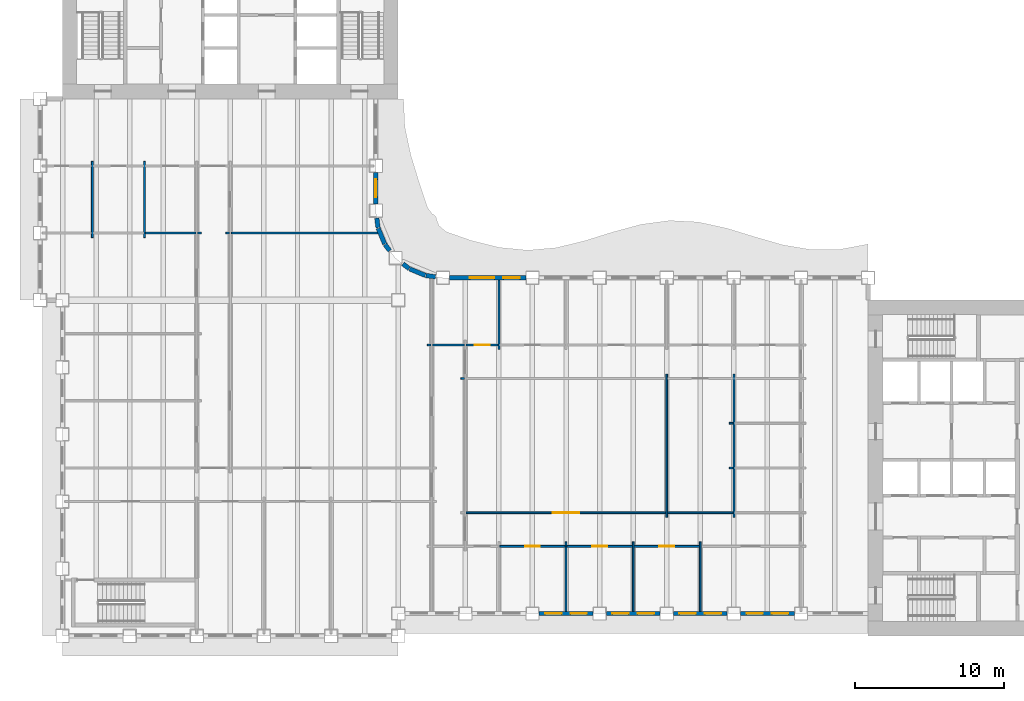
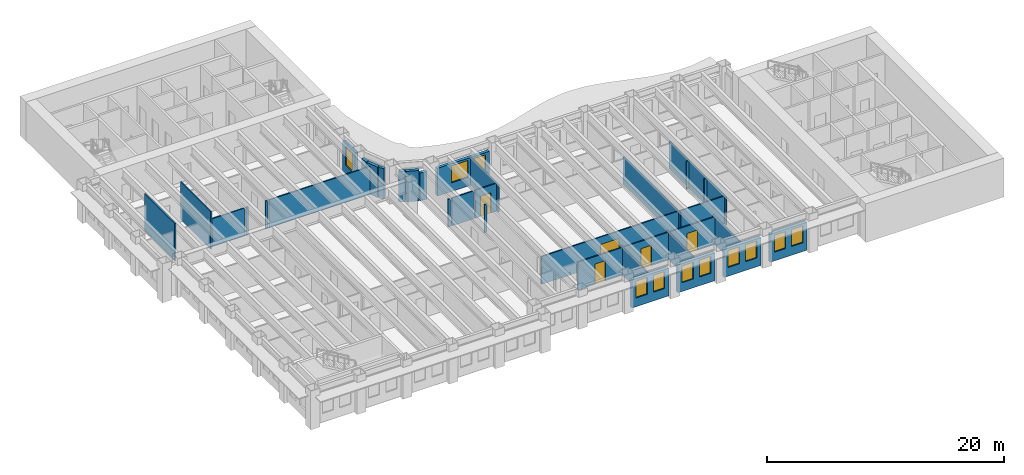
# One storey, part 5 of 16: 35 walls, 11 windows, 5 doors, 16 openings.
"""IFC4 building model written with IfcOpenShell, lengths in metres."""

import ifcopenshell
import ifcopenshell.guid

model = None  # the IFC model being written
_history = None  # IfcOwnerHistory: only IFC2X3 demands one
_inside = {}  # id of a spatial element -> (the spatial element, [elements in it])
_under = {}  # id of a project, library or spatial element -> (it, [spatial elements below it])
_declared = {}  # id of a project -> (the project, [libraries it declares])
_typed = {}  # id of a type object -> (the type object, [elements of that type])
_made_of = {}  # id of a material, layer set ... -> (it, [elements and type objects made of it])


def new_model(schema):
    """Start an empty IFC model of exactly this schema.

    Asked for "IFC4X3", IfcOpenShell would pick the latest addendum, in which some entities
    have other attributes; the version numbers below select the first issue.
    IFC2X3 requires an IfcOwnerHistory on every rooted entity: one is made here for all.
    """
    global model, _history
    if schema == "IFC4X3":
        model = ifcopenshell.file(schema_version=(4, 3, 0, 0))
    else:
        model = ifcopenshell.file(schema=schema)
    _inside.clear()
    _under.clear()
    _declared.clear()
    _typed.clear()
    _made_of.clear()
    _history = None
    if model.schema == "IFC2X3":
        org = make("IfcOrganization", Name="unknown")
        user = make(
            "IfcPersonAndOrganization",
            ThePerson=make("IfcPerson", FamilyName="unknown"),
            TheOrganization=org,
        )
        app = make(
            "IfcApplication",
            ApplicationDeveloper=org,
            Version="unknown",
            ApplicationFullName="unknown",
            ApplicationIdentifier="unknown",
        )
        _history = make(
            "IfcOwnerHistory",
            OwningUser=user,
            OwningApplication=app,
            ChangeAction="ADDED",
            CreationDate=0,
        )
    return model


def make(cls, **values):
    """One entity of the class cls with the attributes given. An attribute that is None is left unset."""
    return model.create_entity(
        cls, **{name: value for name, value in values.items() if value is not None}
    )


def rooted(cls, **values):
    """An entity with a GlobalId (a new one), such as an element, a storey or a relation."""
    return make(cls, GlobalId=ifcopenshell.guid.new(), OwnerHistory=_history, **values)


def si_unit(unit_type, name, prefix=None):
    """IfcSIUnit, for example si_unit("LENGTHUNIT", "METRE", prefix="MILLI")."""
    return make("IfcSIUnit", UnitType=unit_type, Prefix=prefix, Name=name)


def assignment(units):
    """IfcUnitAssignment: the units of a project."""
    return None if units is None else make("IfcUnitAssignment", Units=units)


def point(xyz):
    """IfcCartesianPoint."""
    return None if xyz is None else make("IfcCartesianPoint", Coordinates=xyz)


def direction(xyz):
    """IfcDirection."""
    return None if xyz is None else make("IfcDirection", DirectionRatios=xyz)


def frame(location, z_axis=None, x_axis=None):
    """IfcAxis2Placement3D, a coordinate frame: its origin and axes. An axis left out is left unset."""
    return make(
        "IfcAxis2Placement3D",
        Location=point(location),
        Axis=direction(z_axis),
        RefDirection=direction(x_axis),
    )


def frame_2d(location, x_axis=None):
    """IfcAxis2Placement2D, a coordinate frame in the plane: its origin and x axis."""
    return make(
        "IfcAxis2Placement2D", Location=point(location), RefDirection=direction(x_axis)
    )


def origin():
    """The frame at (0, 0, 0) with its axes left unset."""
    return frame((0.0, 0.0, 0.0))


def place(relative_to, where):
    """IfcLocalPlacement: puts the frame where relative to a parent placement (None: the world)."""
    return make(
        "IfcLocalPlacement", PlacementRelTo=relative_to, RelativePlacement=where
    )


def context(
    kind, dimensions, precision=None, world=None, true_north=None, identifier=None
):
    """IfcGeometricRepresentationContext, for example the 3D "Model" context."""
    return make(
        "IfcGeometricRepresentationContext",
        ContextIdentifier=identifier,
        ContextType=kind,
        CoordinateSpaceDimension=dimensions,
        Precision=precision,
        WorldCoordinateSystem=world,
        TrueNorth=true_north,
    )


def subcontext(parent, identifier, kind, view, scale=None):
    """IfcGeometricRepresentationSubContext, for example "Body" below "Model"."""
    return make(
        "IfcGeometricRepresentationSubContext",
        ContextIdentifier=identifier,
        ContextType=kind,
        ParentContext=parent,
        TargetScale=scale,
        TargetView=view,
    )


def project(units=None, contexts=None):
    """IfcProject with its units and contexts."""
    return rooted(
        "IfcProject",
        Name="project",
        RepresentationContexts=contexts,
        UnitsInContext=assignment(units),
    )


def spatial(cls, under=None, at=None, **own):
    """A site, building, storey or space (cls), placed at a placement, below another one or the project."""
    s = rooted(cls, ObjectPlacement=at, **own)
    if under is not None:
        _under.setdefault(under.id(), (under, []))[1].append(s)
    return s


def profile(cls, at=None, kind="AREA", **sizes):
    """A parametric profile (cls). Its sizes go by their IFC names, for example OverallWidth=200.0."""
    return make(cls, ProfileType=kind, Position=at, **sizes)


def rectangle(**sizes):
    """IfcRectangleProfileDef."""
    return profile("IfcRectangleProfileDef", **sizes)


def extrude(swept, where, along, depth):
    """IfcExtrudedAreaSolid: the profile swept, set in the frame where, extruded along a direction by depth."""
    return make(
        "IfcExtrudedAreaSolid",
        SweptArea=swept,
        Position=where,
        ExtrudedDirection=direction(along),
        Depth=depth,
    )


def shape(context_of_items, identifier, shape_type, items):
    """IfcShapeRepresentation: the items that make up one representation, for example the "Body"."""
    return make(
        "IfcShapeRepresentation",
        ContextOfItems=context_of_items,
        RepresentationIdentifier=identifier,
        RepresentationType=shape_type,
        Items=items,
    )


def material(Name=None, Category=None):
    """IfcMaterial."""
    return make("IfcMaterial", Name=Name, Category=Category)


def layer(
    of_material, thickness, ventilated=None, Name=None, Category=None, Priority=None
):
    """IfcMaterialLayer: one layer of a wall or slab, of a material (None: an air gap)."""
    return make(
        "IfcMaterialLayer",
        Material=of_material,
        LayerThickness=thickness,
        IsVentilated=ventilated,
        Name=Name,
        Category=Category,
        Priority=Priority,
    )


def layer_set(layers, Name=None):
    """IfcMaterialLayerSet."""
    return make("IfcMaterialLayerSet", MaterialLayers=layers, LayerSetName=Name)


def made_of(thing, what):
    """Note that an element or type object is made of a material, layer set ...; save() writes the relation."""
    if what is not None:
        _made_of.setdefault(what.id(), (what, []))[1].append(thing)
    return thing


def type_object(cls, material=None, **own):
    """A type object (cls), such as IfcWallType, which elements share."""
    return made_of(rooted(cls, **own), material)


def element(
    cls,
    number,
    at=None,
    inside=None,
    cuts=None,
    type_object=None,
    material=None,
    context=None,
    identifier="Body",
    shape_type=None,
    held_by="IfcProductDefinitionShape",
    body=None,
    shapes=None,
    **own,
):
    """One element of the class cls, such as IfcWall. Its Tag is "e" and its number.

    at: its placement. inside: the storey or other place that contains it. cuts: it is an
    opening in that element (IfcRelVoidsElement). A single representation is given by context,
    identifier, shape_type and body (its items); several are given by shapes. held_by: the class
    of the entity that holds the representations. save() writes the other relations.
    """
    e = rooted(cls, Tag="e%d" % number, ObjectPlacement=at, **own)
    if body is not None:
        shapes = [shape(context, identifier, shape_type, body)]
    if shapes is not None:
        e.Representation = make(held_by, Representations=shapes)
    if inside is not None:
        _inside.setdefault(inside.id(), (inside, []))[1].append(e)
    if cuts is not None:
        rooted(
            "IfcRelVoidsElement", RelatingBuildingElement=cuts, RelatedOpeningElement=e
        )
    if type_object is not None:
        _typed.setdefault(type_object.id(), (type_object, []))[1].append(e)
    return made_of(e, material)


def fill(opening, filler):
    """IfcRelFillsElement: the door or window that sits in an opening."""
    return rooted(
        "IfcRelFillsElement",
        RelatingOpeningElement=opening,
        RelatedBuildingElement=filler,
    )


def aggregate(whole, parts):
    """IfcRelAggregates: a whole, such as a stair, and the parts it consists of."""
    return rooted("IfcRelAggregates", RelatingObject=whole, RelatedObjects=parts)


def save(model, path):
    """Write the relations noted so far, then the file.

    IfcRelAggregates (storeys below a building ...), IfcRelContainedInSpatialStructure (elements
    in a storey), IfcRelDefinesByType, IfcRelAssociatesMaterial and IfcRelDeclares: one each for
    every whole, place, type object, material and project.
    """
    for whole, parts in _under.values():
        aggregate(whole, parts)
    for where, things in _inside.values():
        rooted(
            "IfcRelContainedInSpatialStructure",
            RelatedElements=things,
            RelatingStructure=where,
        )
    for kind, things in _typed.values():
        rooted("IfcRelDefinesByType", RelatedObjects=things, RelatingType=kind)
    for what, things in _made_of.values():
        rooted("IfcRelAssociatesMaterial", RelatedObjects=things, RelatingMaterial=what)
    for by, libraries in _declared.values():
        rooted("IfcRelDeclares", RelatingContext=by, RelatedDefinitions=libraries)
    model.write(path)


model = new_model("IFC4")

# Units and contexts
model_context = context("Model", 3, precision=1e-05, world=origin(), true_north=direction((0.0, 1.0)))
body_context = subcontext(model_context, "Body", "Model", "MODEL_VIEW")
ifc_project = project(units=[si_unit("LENGTHUNIT", "METRE"), si_unit("AREAUNIT", "SQUARE_METRE"), si_unit("VOLUMEUNIT", "CUBIC_METRE"), si_unit("PLANEANGLEUNIT", "RADIAN"), si_unit("MASSUNIT", "GRAM", prefix="KILO")], contexts=[model_context])

# Site, building, storey
site_placement = place(None, origin())
site = spatial("IfcSite", under=ifc_project, at=site_placement, CompositionType="ELEMENT")
building_placement = place(site_placement, origin())
building = spatial("IfcBuilding", under=site, at=building_placement, Name="Sennacour Bend Tower", CompositionType="ELEMENT")
storey_placement = place(building_placement, frame((0.0, 0.0, 167.0)))
storey = spatial("IfcBuildingStorey", under=building, at=storey_placement, Name="L38", CompositionType="ELEMENT", Elevation=167.0)

# Walls
ifc_material_1 = material(Name="Plasterboard partition on steel studs", Category="steel")
ifc_layer_1 = layer(ifc_material_1, 0.1201171875, Name="Plasterboard partition on steel studs", Category="steel")
ifc_layer_set_1 = layer_set([ifc_layer_1], Name="Plasterboard partition on steel studs")
wall_type_1 = type_object("IfcWallType", Name="Partition 120", PredefinedType="PARTITIONING", material=ifc_layer_set_1)
for number, where, z_axis, x_axis, name in (
    (1, (2.0, 26.699951171875, 0.0), (0.0, 0.0, 1.0), (0.0, 1.0, 0.0), "P-L38-W004a"),
    (2, (5.5, 26.699951171875, 0.0), (0.0, 0.0, 1.0), (0.0, 1.0, 0.0), "P-L38-W007a"),
):
    element("IfcWall", number, at=place(storey_placement, frame(where, z_axis=z_axis, x_axis=x_axis)), inside=storey, type_object=wall_type_1, Name=name, PredefinedType="PARTITIONING", context=body_context, shape_type="SweptSolid", body=[
        extrude(rectangle(XDim=5.10009765625, YDim=0.1201171875, at=frame_2d((2.550048828125, 0.0))), origin(), (0.0, 0.0, 1.0), 3.85009765625),
    ])
for number, where, z_axis, x_axis, name in (
    (3, (29.25, 19.199951171875, 0.0), (0.0, 0.0, 1.0), (0.0, 1.0, 0.0), "P-L38-W027a"),
    (4, (33.75, 1.64990234375, 0.0), (0.0, 0.0, 1.0), (0.0, 1.0, 0.0), "P-L38-W028a"),
    (5, (38.25, 1.64990234375, 0.0), (0.0, 0.0, 1.0), (0.0, 1.0, 0.0), "P-L38-W030a"),
):
    element("IfcWall", number, at=place(storey_placement, frame(where, z_axis=z_axis, x_axis=x_axis)), inside=storey, type_object=wall_type_1, Name=name, PredefinedType="PARTITIONING", context=body_context, shape_type="SweptSolid", body=[
        extrude(rectangle(XDim=4.650146484375, YDim=0.1201171875, at=frame_2d((2.3251953125, 0.0))), origin(), (0.0, 0.0, 1.0), 2.8701171875),
    ])
wall_1_placement = place(storey_placement, frame((40.5, 7.949951171875, 0.0), z_axis=(0.0, 0.0, 1.0), x_axis=(0.0, 1.0, 0.0)))
element("IfcWall", 6, at=wall_1_placement, inside=storey, type_object=wall_type_1, Name="P-L38-W031a", PredefinedType="PARTITIONING", context=body_context, shape_type="SweptSolid", body=[
    extrude(rectangle(XDim=9.60009765625, YDim=0.1201171875, at=frame_2d((4.800048828125, 0.0))), origin(), (0.0, 0.0, 1.0), 2.8701171875),
])
wall_2_placement = place(storey_placement, frame((42.75, 1.64990234375, 0.0), z_axis=(0.0, 0.0, 1.0), x_axis=(0.0, 1.0, 0.0)))
element("IfcWall", 7, at=wall_2_placement, inside=storey, type_object=wall_type_1, Name="P-L38-W033a", PredefinedType="PARTITIONING", context=body_context, shape_type="SweptSolid", body=[
    extrude(rectangle(XDim=4.650146484375, YDim=0.1201171875, at=frame_2d((2.3251953125, 0.0))), origin(), (0.0, 0.0, 1.0), 2.8701171875),
])
wall_3_placement = place(storey_placement, frame((45.0, 7.949951171875, 0.0), z_axis=(0.0, 0.0, 1.0), x_axis=(0.0, 1.0, 0.0)))
element("IfcWall", 8, at=wall_3_placement, inside=storey, type_object=wall_type_1, Name="P-L38-W034a", PredefinedType="PARTITIONING", context=body_context, shape_type="SweptSolid", body=[
    extrude(rectangle(XDim=9.60009765625, YDim=0.1201171875, at=frame_2d((4.800048828125, 0.0))), origin(), (0.0, 0.0, 1.0), 2.8701171875),
])

# Wall, opening, door
wall_4_placement = place(storey_placement, frame((29.31005859375, 6.0, 0.0), z_axis=(0.0, 0.0, 1.0), x_axis=(1.0, 0.0, 0.0)))
wall_4 = element("IfcWall", 9, at=wall_4_placement, inside=storey, type_object=wall_type_1, Name="P-L38-W058ad", PredefinedType="PARTITIONING", context=body_context, shape_type="SweptSolid", body=[
    extrude(rectangle(XDim=4.3798828125, YDim=0.1201171875, at=frame_2d((2.18994140625, 0.0))), origin(), (0.0, 0.0, 1.0), 2.8701171875),
])
opening_1_placement = place(wall_4_placement, frame((1.68994140625, 0.0, 0.0)))
opening_1 = element("IfcOpeningElement", 10, at=opening_1_placement, cuts=wall_4, Name="Opening OD2", PredefinedType="OPENING", context=body_context, shape_type="SweptSolid", body=[
    extrude(rectangle(XDim=1.0, YDim=2.10009765625, at=frame_2d((0.5, 1.050048828125))), frame((0.0, 0.070068359375, 0.0), z_axis=(0.0, -1.0, 0.0), x_axis=(1.0, 0.0, 0.0)), (0.0, 0.0, 1.0), 0.14013671875),
])
ifc_material_2 = material(Name="Timber", Category="wood")
door_type_1 = type_object("IfcDoorType", Name="DR-OFFICE-1000", OperationType="NOTDEFINED", PredefinedType="DOOR", material=ifc_material_2)
door_1_placement = place(opening_1_placement, origin())
door_1 = element("IfcDoor", 11, at=door_1_placement, inside=storey, type_object=door_type_1, Name="Door", OperationType="SINGLE_SWING_LEFT", OverallHeight=2.10009765625, OverallWidth=1.0, PredefinedType="DOOR", context=body_context, shape_type="SweptSolid", body=[
    extrude(rectangle(XDim=1.0, YDim=2.10009765625, at=frame_2d((0.5, 1.050048828125))), frame((0.0, 0.02490234375, 0.0), z_axis=(0.0, -1.0, 0.0), x_axis=(1.0, 0.0, 0.0)), (0.0, 0.0, 1.0), 0.050048828125),
])
fill(opening_1, door_1)

wall_5_placement = place(storey_placement, frame((33.81005859375, 6.0, 0.0), z_axis=(0.0, 0.0, 1.0), x_axis=(1.0, 0.0, 0.0)))
wall_5 = element("IfcWall", 12, at=wall_5_placement, inside=storey, type_object=wall_type_1, Name="P-L38-W058ae", PredefinedType="PARTITIONING", context=body_context, shape_type="SweptSolid", body=[
    extrude(rectangle(XDim=4.3798828125, YDim=0.1201171875, at=frame_2d((2.18994140625, 0.0))), origin(), (0.0, 0.0, 1.0), 2.8701171875),
])
opening_2_placement = place(wall_5_placement, frame((1.68994140625, 0.0, 0.0)))
opening_2 = element("IfcOpeningElement", 13, at=opening_2_placement, cuts=wall_5, Name="Opening OD2", PredefinedType="OPENING", context=body_context, shape_type="SweptSolid", body=[
    extrude(rectangle(XDim=1.0, YDim=2.10009765625, at=frame_2d((0.5, 1.050048828125))), frame((0.0, 0.070068359375, 0.0), z_axis=(0.0, -1.0, 0.0), x_axis=(1.0, 0.0, 0.0)), (0.0, 0.0, 1.0), 0.14013671875),
])
door_2_placement = place(opening_2_placement, origin())
door_2 = element("IfcDoor", 14, at=door_2_placement, inside=storey, type_object=door_type_1, Name="Door", OperationType="SINGLE_SWING_LEFT", OverallHeight=2.10009765625, OverallWidth=1.0, PredefinedType="DOOR", context=body_context, shape_type="SweptSolid", body=[
    extrude(rectangle(XDim=1.0, YDim=2.10009765625, at=frame_2d((0.5, 1.050048828125))), frame((0.0, 0.02490234375, 0.0), z_axis=(0.0, -1.0, 0.0), x_axis=(1.0, 0.0, 0.0)), (0.0, 0.0, 1.0), 0.050048828125),
])
fill(opening_2, door_2)

wall_6_placement = place(storey_placement, frame((38.31005859375, 6.0, 0.0), z_axis=(0.0, 0.0, 1.0), x_axis=(1.0, 0.0, 0.0)))
wall_6 = element("IfcWall", 15, at=wall_6_placement, inside=storey, type_object=wall_type_1, Name="P-L38-W058af", PredefinedType="PARTITIONING", context=body_context, shape_type="SweptSolid", body=[
    extrude(rectangle(XDim=4.3798828125, YDim=0.1201171875, at=frame_2d((2.18994140625, 0.0))), origin(), (0.0, 0.0, 1.0), 2.8701171875),
])
opening_3_placement = place(wall_6_placement, frame((1.68994140625, 0.0, 0.0)))
opening_3 = element("IfcOpeningElement", 16, at=opening_3_placement, cuts=wall_6, Name="Opening OD2", PredefinedType="OPENING", context=body_context, shape_type="SweptSolid", body=[
    extrude(rectangle(XDim=1.0, YDim=2.10009765625, at=frame_2d((0.5, 1.050048828125))), frame((0.0, 0.070068359375, 0.0), z_axis=(0.0, -1.0, 0.0), x_axis=(1.0, 0.0, 0.0)), (0.0, 0.0, 1.0), 0.14013671875),
])
door_3_placement = place(opening_3_placement, origin())
door_3 = element("IfcDoor", 17, at=door_3_placement, inside=storey, type_object=door_type_1, Name="Door", OperationType="SINGLE_SWING_LEFT", OverallHeight=2.10009765625, OverallWidth=1.0, PredefinedType="DOOR", context=body_context, shape_type="SweptSolid", body=[
    extrude(rectangle(XDim=1.0, YDim=2.10009765625, at=frame_2d((0.5, 1.050048828125))), frame((0.0, 0.02490234375, 0.0), z_axis=(0.0, -1.0, 0.0), x_axis=(1.0, 0.0, 0.0)), (0.0, 0.0, 1.0), 0.050048828125),
])
fill(opening_3, door_3)

wall_7_placement = place(storey_placement, frame((27.06005859375, 8.25, 0.0), z_axis=(0.0, 0.0, 1.0), x_axis=(1.0, 0.0, 0.0)))
wall_7 = element("IfcWall", 18, at=wall_7_placement, inside=storey, type_object=wall_type_1, Name="P-L38-W060ab", PredefinedType="PARTITIONING", context=body_context, shape_type="SweptSolid", body=[
    extrude(rectangle(XDim=13.3798828125, YDim=0.1201171875, at=frame_2d((6.68994140625, 0.0))), origin(), (0.0, 0.0, 1.0), 2.8701171875),
])
opening_4_placement = place(wall_7_placement, frame((5.789794921875, 0.0, 0.0)))
opening_4 = element("IfcOpeningElement", 19, at=opening_4_placement, cuts=wall_7, Name="Opening OD3", PredefinedType="OPENING", context=body_context, shape_type="SweptSolid", body=[
    extrude(rectangle(XDim=1.800048828125, YDim=2.10009765625, at=frame_2d((0.89990234375, 1.050048828125))), frame((0.0, 0.070068359375, 0.0), z_axis=(0.0, -1.0, 0.0), x_axis=(1.0, 0.0, 0.0)), (0.0, 0.0, 1.0), 0.14013671875),
])
door_type_2 = type_object("IfcDoorType", Name="DR-OFFICE-1800", OperationType="NOTDEFINED", PredefinedType="DOOR", material=ifc_material_2)
door_4_placement = place(opening_4_placement, origin())
door_4 = element("IfcDoor", 20, at=door_4_placement, inside=storey, type_object=door_type_2, Name="Door", OperationType="DOUBLE_DOOR_SINGLE_SWING", OverallHeight=2.10009765625, OverallWidth=1.800048828125, PredefinedType="DOOR", context=body_context, shape_type="SweptSolid", body=[
    extrude(rectangle(XDim=1.800048828125, YDim=2.10009765625, at=frame_2d((0.89990234375, 1.050048828125))), frame((0.0, 0.02490234375, 0.0), z_axis=(0.0, -1.0, 0.0), x_axis=(1.0, 0.0, 0.0)), (0.0, 0.0, 1.0), 0.050048828125),
])
fill(opening_4, door_4)

# Walls
wall_8_placement = place(storey_placement, frame((40.56005859375, 8.25, 0.0), z_axis=(0.0, 0.0, 1.0), x_axis=(1.0, 0.0, 0.0)))
element("IfcWall", 21, at=wall_8_placement, inside=storey, type_object=wall_type_1, Name="P-L38-W060ac", PredefinedType="PARTITIONING", context=body_context, shape_type="SweptSolid", body=[
    extrude(rectangle(XDim=4.3798828125, YDim=0.1201171875, at=frame_2d((2.18994140625, 0.0))), origin(), (0.0, 0.0, 1.0), 2.8701171875),
])
for number, where, z_axis, x_axis, name in (
    (22, (44.699951171875, 11.25, 0.0), (0.0, 0.0, 1.0), (1.0, 0.0, 0.0), "P-L38-W064aa"),
    (23, (44.699951171875, 14.25, 0.0), (0.0, 0.0, 1.0), (1.0, 0.0, 0.0), "P-L38-W066aa"),
    (24, (26.699951171875, 17.25, 0.0), (0.0, 0.0, 1.0), (1.0, 0.0, 0.0), "P-L38-W070aa"),
    (25, (24.449951171875, 19.5, 0.0), (0.0, 0.0, 1.0), (1.0, 0.0, 0.0), "P-L38-W074aa"),
):
    element("IfcWall", number, at=place(storey_placement, frame(where, z_axis=z_axis, x_axis=x_axis)), inside=storey, type_object=wall_type_1, Name=name, PredefinedType="PARTITIONING", context=body_context, shape_type="SweptSolid", body=[
        extrude(rectangle(XDim=0.239990234375, YDim=0.1201171875, at=frame_2d((0.1201171875, 0.0))), origin(), (0.0, 0.0, 1.0), 2.8701171875),
    ])
wall_9_placement = place(storey_placement, frame((24.81005859375, 19.5, 0.0), z_axis=(0.0, 0.0, 1.0), x_axis=(1.0, 0.0, 0.0)))
element("IfcWall", 26, at=wall_9_placement, inside=storey, type_object=wall_type_1, Name="P-L38-W074ab", PredefinedType="PARTITIONING", context=body_context, shape_type="SweptSolid", body=[
    extrude(rectangle(XDim=2.1298828125, YDim=0.1201171875, at=frame_2d((1.06494140625, 0.0))), origin(), (0.0, 0.0, 1.0), 2.8701171875),
])

# Wall, opening, door
wall_10_placement = place(storey_placement, frame((27.06005859375, 19.5, 0.0), z_axis=(0.0, 0.0, 1.0), x_axis=(1.0, 0.0, 0.0)))
wall_10 = element("IfcWall", 27, at=wall_10_placement, inside=storey, type_object=wall_type_1, Name="P-L38-W074ac", PredefinedType="PARTITIONING", context=body_context, shape_type="SweptSolid", body=[
    extrude(rectangle(XDim=2.1298828125, YDim=0.1201171875, at=frame_2d((1.06494140625, 0.0))), origin(), (0.0, 0.0, 1.0), 2.8701171875),
])
opening_5_placement = place(wall_10_placement, frame((0.56494140625, 0.0, 0.0)))
opening_5 = element("IfcOpeningElement", 28, at=opening_5_placement, cuts=wall_10, Name="Opening OD2", PredefinedType="OPENING", context=body_context, shape_type="SweptSolid", body=[
    extrude(rectangle(XDim=1.0, YDim=2.10009765625, at=frame_2d((0.5, 1.050048828125))), frame((0.0, 0.070068359375, 0.0), z_axis=(0.0, -1.0, 0.0), x_axis=(1.0, 0.0, 0.0)), (0.0, 0.0, 1.0), 0.14013671875),
])
door_5_placement = place(opening_5_placement, origin())
door_5 = element("IfcDoor", 29, at=door_5_placement, inside=storey, type_object=door_type_1, Name="Door", OperationType="SINGLE_SWING_LEFT", OverallHeight=2.10009765625, OverallWidth=1.0, PredefinedType="DOOR", context=body_context, shape_type="SweptSolid", body=[
    extrude(rectangle(XDim=1.0, YDim=2.10009765625, at=frame_2d((0.5, 1.050048828125))), frame((0.0, 0.02490234375, 0.0), z_axis=(0.0, -1.0, 0.0), x_axis=(1.0, 0.0, 0.0)), (0.0, 0.0, 1.0), 0.050048828125),
])
fill(opening_5, door_5)

# Walls
wall_11_placement = place(storey_placement, frame((5.56005859375, 27.0, 0.0), z_axis=(0.0, 0.0, 1.0), x_axis=(1.0, 0.0, 0.0)))
element("IfcWall", 30, at=wall_11_placement, inside=storey, type_object=wall_type_1, Name="P-L38-W077ac", PredefinedType="PARTITIONING", context=body_context, shape_type="SweptSolid", body=[
    extrude(rectangle(XDim=3.3798828125, YDim=0.1201171875, at=frame_2d((1.68994140625, 0.0))), origin(), (0.0, 0.0, 1.0), 2.8701171875),
])
for number, where, z_axis, x_axis, name in (
    (31, (9.06005859375, 27.0, 0.0), (0.0, 0.0, 1.0), (1.0, 0.0, 0.0), "P-L38-W077ad"),
    (32, (10.949951171875, 27.0, 0.0), (0.0, 0.0, 1.0), (1.0, 0.0, 0.0), "P-L38-W078aa"),
):
    element("IfcWall", number, at=place(storey_placement, frame(where, z_axis=z_axis, x_axis=x_axis)), inside=storey, type_object=wall_type_1, Name=name, PredefinedType="PARTITIONING", context=body_context, shape_type="SweptSolid", body=[
        extrude(rectangle(XDim=0.239990234375, YDim=0.1201171875, at=frame_2d((0.1201171875, 0.0))), origin(), (0.0, 0.0, 1.0), 2.8701171875),
    ])
wall_12_placement = place(storey_placement, frame((11.31005859375, 27.0, 0.0), z_axis=(0.0, 0.0, 1.0), x_axis=(1.0, 0.0, 0.0)))
element("IfcWall", 33, at=wall_12_placement, inside=storey, type_object=wall_type_1, Name="P-L38-W078ab", PredefinedType="PARTITIONING", context=body_context, shape_type="SweptSolid", body=[
    extrude(rectangle(XDim=9.81982421875, YDim=0.1201171875, at=frame_2d((4.909912109375, 0.0))), origin(), (0.0, 0.0, 1.0), 2.8701171875),
])

# Wall, openings, windows
ifc_material_3 = material(Name="Warm limestone cladding", Category="masonry")
ifc_layer_2 = layer(ifc_material_3, 0.050048828125, Name="Warm limestone cladding", Category="masonry")
ifc_material_4 = material(Name="Precast concrete C40/50", Category="concrete")
ifc_layer_3 = layer(ifc_material_4, 0.25, Name="Precast concrete C40/50", Category="concrete")
ifc_layer_set_2 = layer_set([ifc_layer_2, ifc_layer_3], Name="Precast concrete C40/50 with limestone cladding")
wall_type_2 = type_object("IfcWallType", Name="STONE-CLAD PRECAST SPANDREL 300", PredefinedType="STANDARD", material=ifc_layer_set_2)
wall_13_placement = place(storey_placement, frame((31.949951171875, 1.5, 0.0), z_axis=(0.0, 0.0, 1.0), x_axis=(1.0, 0.0, 0.0)))
wall_13 = element("IfcWall", 34, at=wall_13_placement, inside=storey, type_object=wall_type_2, Name="Stone spandrel and pier wall L38 02.02", PredefinedType="STANDARD", context=body_context, shape_type="SweptSolid", body=[
    extrude(rectangle(XDim=3.60009765625, YDim=0.300048828125, at=frame_2d((1.800048828125, 0.0))), origin(), (0.0, 0.0, 1.0), 2.8701171875),
])
opening_6_placement = place(wall_13_placement, frame((0.39990234375, 0.0, 0.89990234375)))
opening_6 = element("IfcOpeningElement", 35, at=opening_6_placement, cuts=wall_13, Name="Opening W17", PredefinedType="OPENING", context=body_context, shape_type="SweptSolid", body=[
    extrude(rectangle(XDim=1.10009765625, YDim=1.75, at=frame_2d((0.550048828125, 0.875))), frame((0.0, 0.16015625, 0.0), z_axis=(0.0, -1.0, 0.0), x_axis=(1.0, 0.0, 0.0)), (0.0, 0.0, 1.0), 0.320068359375),
])
opening_7_placement = place(wall_13_placement, frame((2.10009765625, 0.0, 0.89990234375)))
opening_7 = element("IfcOpeningElement", 36, at=opening_7_placement, cuts=wall_13, Name="Opening W17", PredefinedType="OPENING", context=body_context, shape_type="SweptSolid", body=[
    extrude(rectangle(XDim=1.10009765625, YDim=1.75, at=frame_2d((0.550048828125, 0.875))), frame((0.0, 0.16015625, 0.0), z_axis=(0.0, -1.0, 0.0), x_axis=(1.0, 0.0, 0.0)), (0.0, 0.0, 1.0), 0.320068359375),
])
ifc_material_5 = material(Name="Clear low-emissivity glass", Category="glass")
window_type_1 = type_object("IfcWindowType", Name="WIN-RIBBON-1100x1750", PartitioningType="SINGLE_PANEL", PredefinedType="WINDOW", material=ifc_material_5)
window_1_placement = place(opening_6_placement, origin())
window_1 = element("IfcWindow", 37, at=window_1_placement, inside=storey, type_object=window_type_1, Name="Ribbon window L38 02.02.0", OverallHeight=1.75, OverallWidth=1.10009765625, PartitioningType="SINGLE_PANEL", PredefinedType="WINDOW", context=body_context, shape_type="SweptSolid", body=[
    extrude(rectangle(XDim=1.10009765625, YDim=1.75, at=frame_2d((0.550048828125, 0.875))), frame((0.0, 0.030029296875, 0.0), z_axis=(0.0, -1.0, 0.0), x_axis=(1.0, 0.0, 0.0)), (0.0, 0.0, 1.0), 0.06005859375),
])
fill(opening_6, window_1)
window_2_placement = place(opening_7_placement, origin())
window_2 = element("IfcWindow", 38, at=window_2_placement, inside=storey, type_object=window_type_1, Name="Ribbon window L38 02.02.1", OverallHeight=1.75, OverallWidth=1.10009765625, PartitioningType="SINGLE_PANEL", PredefinedType="WINDOW", context=body_context, shape_type="SweptSolid", body=[
    extrude(rectangle(XDim=1.10009765625, YDim=1.75, at=frame_2d((0.550048828125, 0.875))), frame((0.0, 0.030029296875, 0.0), z_axis=(0.0, -1.0, 0.0), x_axis=(1.0, 0.0, 0.0)), (0.0, 0.0, 1.0), 0.06005859375),
])
fill(opening_7, window_2)

wall_14_placement = place(storey_placement, frame((36.449951171875, 1.5, 0.0), z_axis=(0.0, 0.0, 1.0), x_axis=(1.0, 0.0, 0.0)))
wall_14 = element("IfcWall", 39, at=wall_14_placement, inside=storey, type_object=wall_type_2, Name="Stone spandrel and pier wall L38 02.03", PredefinedType="STANDARD", context=body_context, shape_type="SweptSolid", body=[
    extrude(rectangle(XDim=3.60009765625, YDim=0.300048828125, at=frame_2d((1.800048828125, 0.0))), origin(), (0.0, 0.0, 1.0), 2.8701171875),
])
opening_8_placement = place(wall_14_placement, frame((0.39990234375, 0.0, 0.89990234375)))
opening_8 = element("IfcOpeningElement", 40, at=opening_8_placement, cuts=wall_14, Name="Opening W17", PredefinedType="OPENING", context=body_context, shape_type="SweptSolid", body=[
    extrude(rectangle(XDim=1.10009765625, YDim=1.75, at=frame_2d((0.550048828125, 0.875))), frame((0.0, 0.16015625, 0.0), z_axis=(0.0, -1.0, 0.0), x_axis=(1.0, 0.0, 0.0)), (0.0, 0.0, 1.0), 0.320068359375),
])
opening_9_placement = place(wall_14_placement, frame((2.10009765625, 0.0, 0.89990234375)))
opening_9 = element("IfcOpeningElement", 41, at=opening_9_placement, cuts=wall_14, Name="Opening W17", PredefinedType="OPENING", context=body_context, shape_type="SweptSolid", body=[
    extrude(rectangle(XDim=1.10009765625, YDim=1.75, at=frame_2d((0.550048828125, 0.875))), frame((0.0, 0.16015625, 0.0), z_axis=(0.0, -1.0, 0.0), x_axis=(1.0, 0.0, 0.0)), (0.0, 0.0, 1.0), 0.320068359375),
])
window_3_placement = place(opening_8_placement, origin())
window_3 = element("IfcWindow", 42, at=window_3_placement, inside=storey, type_object=window_type_1, Name="Ribbon window L38 02.03.0", OverallHeight=1.75, OverallWidth=1.10009765625, PartitioningType="SINGLE_PANEL", PredefinedType="WINDOW", context=body_context, shape_type="SweptSolid", body=[
    extrude(rectangle(XDim=1.10009765625, YDim=1.75, at=frame_2d((0.550048828125, 0.875))), frame((0.0, 0.030029296875, 0.0), z_axis=(0.0, -1.0, 0.0), x_axis=(1.0, 0.0, 0.0)), (0.0, 0.0, 1.0), 0.06005859375),
])
fill(opening_8, window_3)
window_4_placement = place(opening_9_placement, origin())
window_4 = element("IfcWindow", 43, at=window_4_placement, inside=storey, type_object=window_type_1, Name="Ribbon window L38 02.03.1", OverallHeight=1.75, OverallWidth=1.10009765625, PartitioningType="SINGLE_PANEL", PredefinedType="WINDOW", context=body_context, shape_type="SweptSolid", body=[
    extrude(rectangle(XDim=1.10009765625, YDim=1.75, at=frame_2d((0.550048828125, 0.875))), frame((0.0, 0.030029296875, 0.0), z_axis=(0.0, -1.0, 0.0), x_axis=(1.0, 0.0, 0.0)), (0.0, 0.0, 1.0), 0.06005859375),
])
fill(opening_9, window_4)

wall_15_placement = place(storey_placement, frame((40.949951171875, 1.5, 0.0), z_axis=(0.0, 0.0, 1.0), x_axis=(1.0, 0.0, 0.0)))
wall_15 = element("IfcWall", 44, at=wall_15_placement, inside=storey, type_object=wall_type_2, Name="Stone spandrel and pier wall L38 02.04", PredefinedType="STANDARD", context=body_context, shape_type="SweptSolid", body=[
    extrude(rectangle(XDim=3.60009765625, YDim=0.300048828125, at=frame_2d((1.800048828125, 0.0))), origin(), (0.0, 0.0, 1.0), 2.8701171875),
])
opening_10_placement = place(wall_15_placement, frame((0.39990234375, 0.0, 0.89990234375)))
opening_10 = element("IfcOpeningElement", 45, at=opening_10_placement, cuts=wall_15, Name="Opening W17", PredefinedType="OPENING", context=body_context, shape_type="SweptSolid", body=[
    extrude(rectangle(XDim=1.10009765625, YDim=1.75, at=frame_2d((0.550048828125, 0.875))), frame((0.0, 0.16015625, 0.0), z_axis=(0.0, -1.0, 0.0), x_axis=(1.0, 0.0, 0.0)), (0.0, 0.0, 1.0), 0.320068359375),
])
opening_11_placement = place(wall_15_placement, frame((2.10009765625, 0.0, 0.89990234375)))
opening_11 = element("IfcOpeningElement", 46, at=opening_11_placement, cuts=wall_15, Name="Opening W17", PredefinedType="OPENING", context=body_context, shape_type="SweptSolid", body=[
    extrude(rectangle(XDim=1.10009765625, YDim=1.75, at=frame_2d((0.550048828125, 0.875))), frame((0.0, 0.16015625, 0.0), z_axis=(0.0, -1.0, 0.0), x_axis=(1.0, 0.0, 0.0)), (0.0, 0.0, 1.0), 0.320068359375),
])
window_5_placement = place(opening_10_placement, origin())
window_5 = element("IfcWindow", 47, at=window_5_placement, inside=storey, type_object=window_type_1, Name="Ribbon window L38 02.04.0", OverallHeight=1.75, OverallWidth=1.10009765625, PartitioningType="SINGLE_PANEL", PredefinedType="WINDOW", context=body_context, shape_type="SweptSolid", body=[
    extrude(rectangle(XDim=1.10009765625, YDim=1.75, at=frame_2d((0.550048828125, 0.875))), frame((0.0, 0.030029296875, 0.0), z_axis=(0.0, -1.0, 0.0), x_axis=(1.0, 0.0, 0.0)), (0.0, 0.0, 1.0), 0.06005859375),
])
fill(opening_10, window_5)
window_6_placement = place(opening_11_placement, origin())
window_6 = element("IfcWindow", 48, at=window_6_placement, inside=storey, type_object=window_type_1, Name="Ribbon window L38 02.04.1", OverallHeight=1.75, OverallWidth=1.10009765625, PartitioningType="SINGLE_PANEL", PredefinedType="WINDOW", context=body_context, shape_type="SweptSolid", body=[
    extrude(rectangle(XDim=1.10009765625, YDim=1.75, at=frame_2d((0.550048828125, 0.875))), frame((0.0, 0.030029296875, 0.0), z_axis=(0.0, -1.0, 0.0), x_axis=(1.0, 0.0, 0.0)), (0.0, 0.0, 1.0), 0.06005859375),
])
fill(opening_11, window_6)

wall_16_placement = place(storey_placement, frame((45.449951171875, 1.5, 0.0), z_axis=(0.0, 0.0, 1.0), x_axis=(1.0, 0.0, 0.0)))
wall_16 = element("IfcWall", 49, at=wall_16_placement, inside=storey, type_object=wall_type_2, Name="Stone spandrel and pier wall L38 02.05", PredefinedType="STANDARD", context=body_context, shape_type="SweptSolid", body=[
    extrude(rectangle(XDim=3.60009765625, YDim=0.300048828125, at=frame_2d((1.800048828125, 0.0))), origin(), (0.0, 0.0, 1.0), 2.8701171875),
])
opening_12_placement = place(wall_16_placement, frame((0.39990234375, 0.0, 0.89990234375)))
opening_12 = element("IfcOpeningElement", 50, at=opening_12_placement, cuts=wall_16, Name="Opening W17", PredefinedType="OPENING", context=body_context, shape_type="SweptSolid", body=[
    extrude(rectangle(XDim=1.10009765625, YDim=1.75, at=frame_2d((0.550048828125, 0.875))), frame((0.0, 0.16015625, 0.0), z_axis=(0.0, -1.0, 0.0), x_axis=(1.0, 0.0, 0.0)), (0.0, 0.0, 1.0), 0.320068359375),
])
opening_13_placement = place(wall_16_placement, frame((2.10009765625, 0.0, 0.89990234375)))
opening_13 = element("IfcOpeningElement", 51, at=opening_13_placement, cuts=wall_16, Name="Opening W17", PredefinedType="OPENING", context=body_context, shape_type="SweptSolid", body=[
    extrude(rectangle(XDim=1.10009765625, YDim=1.75, at=frame_2d((0.550048828125, 0.875))), frame((0.0, 0.16015625, 0.0), z_axis=(0.0, -1.0, 0.0), x_axis=(1.0, 0.0, 0.0)), (0.0, 0.0, 1.0), 0.320068359375),
])
window_7_placement = place(opening_12_placement, origin())
window_7 = element("IfcWindow", 52, at=window_7_placement, inside=storey, type_object=window_type_1, Name="Ribbon window L38 02.05.0", OverallHeight=1.75, OverallWidth=1.10009765625, PartitioningType="SINGLE_PANEL", PredefinedType="WINDOW", context=body_context, shape_type="SweptSolid", body=[
    extrude(rectangle(XDim=1.10009765625, YDim=1.75, at=frame_2d((0.550048828125, 0.875))), frame((0.0, 0.030029296875, 0.0), z_axis=(0.0, -1.0, 0.0), x_axis=(1.0, 0.0, 0.0)), (0.0, 0.0, 1.0), 0.06005859375),
])
fill(opening_12, window_7)
window_8_placement = place(opening_13_placement, origin())
window_8 = element("IfcWindow", 53, at=window_8_placement, inside=storey, type_object=window_type_1, Name="Ribbon window L38 02.05.1", OverallHeight=1.75, OverallWidth=1.10009765625, PartitioningType="SINGLE_PANEL", PredefinedType="WINDOW", context=body_context, shape_type="SweptSolid", body=[
    extrude(rectangle(XDim=1.10009765625, YDim=1.75, at=frame_2d((0.550048828125, 0.875))), frame((0.0, 0.030029296875, 0.0), z_axis=(0.0, -1.0, 0.0), x_axis=(1.0, 0.0, 0.0)), (0.0, 0.0, 1.0), 0.06005859375),
])
fill(opening_13, window_8)

wall_17_placement = place(storey_placement, frame((31.050048828125, 24.0, 0.0), z_axis=(0.0, 0.0, 1.0), x_axis=(-1.0, 0.0, 0.0)))
wall_17 = element("IfcWall", 54, at=wall_17_placement, inside=storey, type_object=wall_type_2, Name="Stone spandrel and pier wall L38 08.05", PredefinedType="STANDARD", context=body_context, shape_type="SweptSolid", body=[
    extrude(rectangle(XDim=5.10009765625, YDim=0.300048828125, at=frame_2d((2.550048828125, 0.0))), origin(), (0.0, 0.0, 1.0), 2.8701171875),
])
opening_14_placement = place(wall_17_placement, frame((0.39990234375, 0.0, 0.89990234375)))
opening_14 = element("IfcOpeningElement", 55, at=opening_14_placement, cuts=wall_17, Name="Opening W17", PredefinedType="OPENING", context=body_context, shape_type="SweptSolid", body=[
    extrude(rectangle(XDim=1.10009765625, YDim=1.75, at=frame_2d((0.550048828125, 0.875))), frame((0.0, 0.16015625, 0.0), z_axis=(0.0, -1.0, 0.0), x_axis=(1.0, 0.0, 0.0)), (0.0, 0.0, 1.0), 0.320068359375),
])
opening_15_placement = place(wall_17_placement, frame((2.10009765625, 0.0, 0.89990234375)))
opening_15 = element("IfcOpeningElement", 56, at=opening_15_placement, cuts=wall_17, Name="Opening W18", PredefinedType="OPENING", context=body_context, shape_type="SweptSolid", body=[
    extrude(rectangle(XDim=1.64990234375, YDim=1.75, at=frame_2d((0.824951171875, 0.875))), frame((0.0, 0.16015625, 0.0), z_axis=(0.0, -1.0, 0.0), x_axis=(1.0, 0.0, 0.0)), (0.0, 0.0, 1.0), 0.320068359375),
])
window_9_placement = place(opening_14_placement, origin())
window_9 = element("IfcWindow", 57, at=window_9_placement, inside=storey, type_object=window_type_1, Name="Ribbon window L38 08.05.0", OverallHeight=1.75, OverallWidth=1.10009765625, PartitioningType="SINGLE_PANEL", PredefinedType="WINDOW", context=body_context, shape_type="SweptSolid", body=[
    extrude(rectangle(XDim=1.10009765625, YDim=1.75, at=frame_2d((0.550048828125, 0.875))), frame((0.0, 0.030029296875, 0.0), z_axis=(0.0, -1.0, 0.0), x_axis=(1.0, 0.0, 0.0)), (0.0, 0.0, 1.0), 0.06005859375),
])
fill(opening_14, window_9)
window_type_2 = type_object("IfcWindowType", Name="WIN-RIBBON-1650x1750", PartitioningType="SINGLE_PANEL", PredefinedType="WINDOW", material=ifc_material_5)
window_10_placement = place(opening_15_placement, origin())
window_10 = element("IfcWindow", 58, at=window_10_placement, inside=storey, type_object=window_type_2, Name="Ribbon window L38 08.05.1", OverallHeight=1.75, OverallWidth=1.64990234375, PartitioningType="SINGLE_PANEL", PredefinedType="WINDOW", context=body_context, shape_type="SweptSolid", body=[
    extrude(rectangle(XDim=1.64990234375, YDim=1.75, at=frame_2d((0.824951171875, 0.875))), frame((0.0, 0.030029296875, 0.0), z_axis=(0.0, -1.0, 0.0), x_axis=(1.0, 0.0, 0.0)), (0.0, 0.0, 1.0), 0.06005859375),
])
fill(opening_15, window_10)

# Walls
wall_18_placement = place(storey_placement, frame((24.99951171875, 24.06591796875, 0.0), z_axis=(0.0, 0.0, 1.0), x_axis=(-0.991423590996, 0.130687655177, 0.0)))
element("IfcWall", 59, at=wall_18_placement, inside=storey, type_object=wall_type_2, Name="Stone spandrel and pier wall L38 09.00", PredefinedType="STANDARD", context=body_context, shape_type="SweptSolid", body=[
    extrude(rectangle(XDim=0.650146484375, YDim=0.300048828125, at=frame_2d((0.3251953125, 0.0))), origin(), (0.0, 0.0, 1.0), 2.8701171875),
])
wall_19_placement = place(storey_placement, frame((24.317138671875, 24.160888671875, 0.0), z_axis=(0.0, 0.0, 1.0), x_axis=(-0.923914616768, 0.382598720491, 0.0)))
element("IfcWall", 60, at=wall_19_placement, inside=storey, type_object=wall_type_2, Name="Stone spandrel and pier wall L38 10.00", PredefinedType="STANDARD", context=body_context, shape_type="SweptSolid", body=[
    extrude(rectangle(XDim=1.13525390625, YDim=0.300048828125, at=frame_2d((0.567626953125, 0.0))), origin(), (0.0, 0.0, 1.0), 3.14892578125),
])
for number, where, z_axis, x_axis, name in (
    (61, (23.234375, 24.614990234375, 0.0), (0.0, 0.0, 1.0), (-0.793523857856, 0.608539141726, 0.0), "Stone spandrel and pier wall L38 11.00"),
    (62, (21.933837890625, 25.818603515625, 0.0), (0.0, 0.0, 1.0), (-0.608539141726, 0.793523857856, 0.0), "Stone spandrel and pier wall L38 12.00"),
):
    element("IfcWall", number, at=place(storey_placement, frame(where, z_axis=z_axis, x_axis=x_axis)), inside=storey, type_object=wall_type_2, Name=name, PredefinedType="STANDARD", context=body_context, shape_type="SweptSolid", body=[
        extrude(rectangle(XDim=0.52392578125, YDim=0.300048828125, at=frame_2d((0.261962890625, 0.0))), origin(), (0.0, 0.0, 1.0), 3.14892578125),
    ])
wall_20_placement = place(storey_placement, frame((21.59521484375, 26.268310546875, 0.0), z_axis=(0.0, 0.0, 1.0), x_axis=(-0.382598720491, 0.923914616768, 0.0)))
element("IfcWall", 63, at=wall_20_placement, inside=storey, type_object=wall_type_2, Name="Stone spandrel and pier wall L38 13.00", PredefinedType="STANDARD", context=body_context, shape_type="SweptSolid", body=[
    extrude(rectangle(XDim=1.13525390625, YDim=0.300048828125, at=frame_2d((0.567626953125, 0.0))), origin(), (0.0, 0.0, 1.0), 3.14892578125),
])
wall_21_placement = place(storey_placement, frame((21.15087890625, 27.35498046875, 0.0), z_axis=(0.0, 0.0, 1.0), x_axis=(-0.130687655177, 0.991423590996, 0.0)))
element("IfcWall", 64, at=wall_21_placement, inside=storey, type_object=wall_type_2, Name="Stone spandrel and pier wall L38 14.00", PredefinedType="STANDARD", context=body_context, shape_type="SweptSolid", body=[
    extrude(rectangle(XDim=0.650146484375, YDim=0.300048828125, at=frame_2d((0.3251953125, 0.0))), origin(), (0.0, 0.0, 1.0), 3.14892578125),
])

# Wall, opening, window
wall_22_placement = place(storey_placement, frame((21.0, 28.949951171875, 0.0), z_axis=(0.0, 0.0, 1.0), x_axis=(0.0, 1.0, 0.0)))
wall_22 = element("IfcWall", 65, at=wall_22_placement, inside=storey, type_object=wall_type_2, Name="Stone spandrel and pier wall L38 15.00", PredefinedType="STANDARD", context=body_context, shape_type="SweptSolid", body=[
    extrude(rectangle(XDim=2.10009765625, YDim=0.300048828125, at=frame_2d((1.050048828125, 0.0))), origin(), (0.0, 0.0, 1.0), 3.14892578125),
])
opening_16_placement = place(wall_22_placement, frame((0.449951171875, 0.0, 0.89990234375)))
opening_16 = element("IfcOpeningElement", 66, at=opening_16_placement, cuts=wall_22, Name="Opening W14", PredefinedType="OPENING", context=body_context, shape_type="SweptSolid", body=[
    extrude(rectangle(XDim=1.199951171875, YDim=2.0, at=frame_2d((0.60009765625, 1.0))), frame((0.0, 0.16015625, 0.0), z_axis=(0.0, -1.0, 0.0), x_axis=(1.0, 0.0, 0.0)), (0.0, 0.0, 1.0), 0.320068359375),
])
window_type_3 = type_object("IfcWindowType", Name="WIN-RIBBON-1200x2000", PartitioningType="SINGLE_PANEL", PredefinedType="WINDOW", material=ifc_material_5)
window_11_placement = place(opening_16_placement, origin())
window_11 = element("IfcWindow", 67, at=window_11_placement, inside=storey, type_object=window_type_3, Name="Ribbon window L38 15.00", OverallHeight=2.0, OverallWidth=1.199951171875, PartitioningType="SINGLE_PANEL", PredefinedType="WINDOW", context=body_context, shape_type="SweptSolid", body=[
    extrude(rectangle(XDim=1.199951171875, YDim=2.0, at=frame_2d((0.60009765625, 1.0))), frame((0.0, 0.030029296875, 0.0), z_axis=(0.0, -1.0, 0.0), x_axis=(1.0, 0.0, 0.0)), (0.0, 0.0, 1.0), 0.06005859375),
])
fill(opening_16, window_11)

save(model, "model.ifc")
